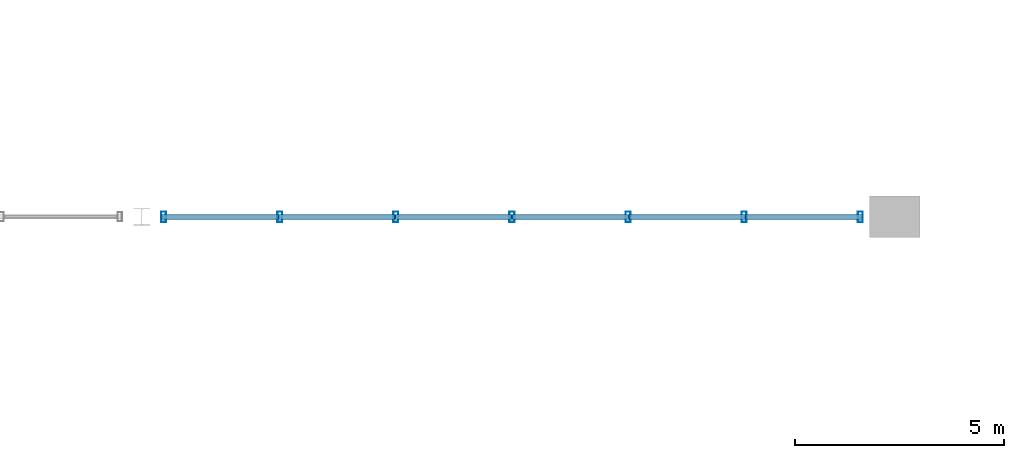
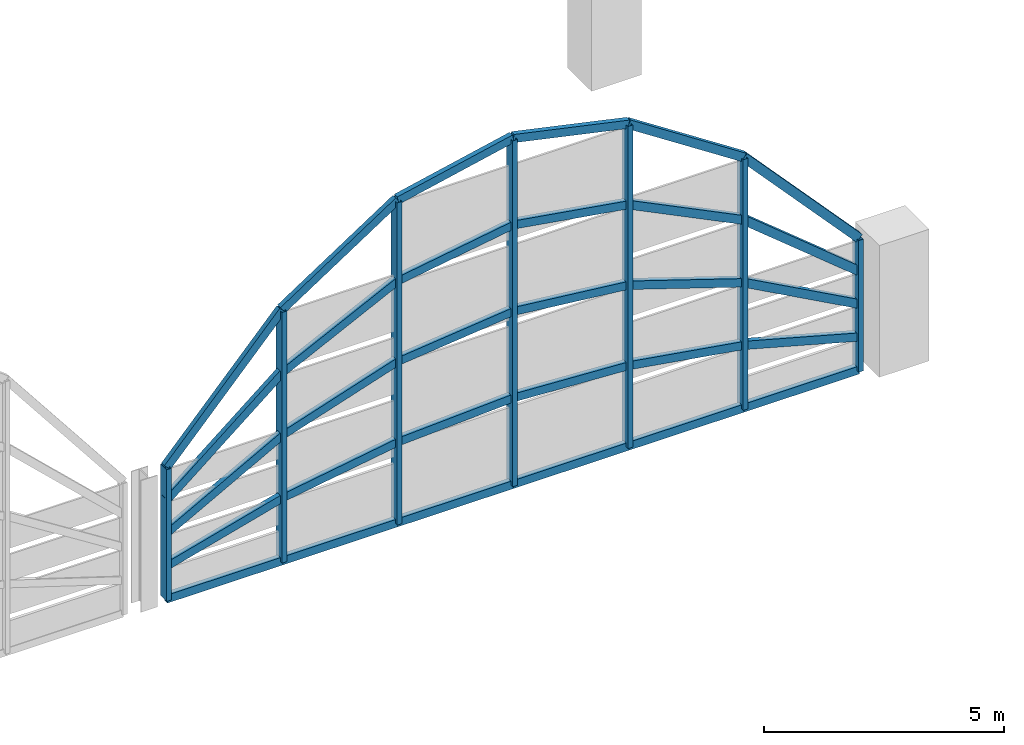
# One storey, part 34 of 116: 37 members, 1 element without a shape of its own.
"""IFC4 building model written with IfcOpenShell, lengths in metres."""

from ifc_helpers import new_model, si_unit, direction, frame, origin, origin_2d, place, context, subcontext, project, spatial, hollow_rectangle, extrude, material, material_profile, profile_set, type_object, element, aggregate, save


model = new_model("IFC4")

# Units and contexts
model_context = context("Model", 3, precision=1e-05, world=origin(), true_north=direction((0.0, 1.0)))
body_context = subcontext(model_context, "Body", "Model", "MODEL_VIEW")
ifc_project = project(units=[si_unit("LENGTHUNIT", "METRE"), si_unit("AREAUNIT", "SQUARE_METRE"), si_unit("VOLUMEUNIT", "CUBIC_METRE"), si_unit("PLANEANGLEUNIT", "RADIAN"), si_unit("MASSUNIT", "GRAM", prefix="KILO")], contexts=[model_context])

# Site, building, storey
site_placement = place(None, origin())
site = spatial("IfcSite", under=ifc_project, at=site_placement, CompositionType="ELEMENT")
building_placement = place(site_placement, origin())
building = spatial("IfcBuilding", under=site, at=building_placement, Name="Chuanluo Vaults Station", CompositionType="ELEMENT")
storey_placement = place(building_placement, frame((0.0, 0.0, 10.800048828125)))
storey = spatial("IfcBuildingStorey", under=building, at=storey_placement, Name="L02", CompositionType="ELEMENT", Elevation=10.800048828125)

# Curtain wall, members
ifc_material_1 = material(Name="Anodised aluminium 6063-T6", Category="aluminium")
curtain_wall_type = type_object("IfcCurtainWallType", Name="CW-SYS-23", PredefinedType="NOTDEFINED", material=ifc_material_1)
curtain_wall_placement = place(storey_placement, origin())
curtain_wall = element("IfcCurtainWall", 1, at=curtain_wall_placement, inside=storey, type_object=curtain_wall_type, Name="Vault V7 south arched curtain wall", PredefinedType="NOTDEFINED")
ifc_material_2 = material(Name="Anodised aluminium 6063-T6", Category="aluminium")
ifc_material_profile_1 = material_profile(ifc_material_2, hollow_rectangle(XDim=0.1201171875, YDim=0.25, WallThickness=0.006103515625, at=origin_2d()))
ifc_profile_set_1 = profile_set([ifc_material_profile_1], Name="Anodised aluminium 6063-T6")
member_type_1 = type_object("IfcMemberType", Name="CWM-160", PredefinedType="MULLION", material=ifc_profile_set_1)
member_1_placement = place(storey_placement, frame((125.175048828125, 18.0, 0.0), z_axis=(0.0, 0.0, 1.0), x_axis=(-1.0, 0.0, 0.0)))
member_1 = element("IfcMember", 2, at=member_1_placement, type_object=member_type_1, Name="Vault V7 south arched curtain wall mullion 1", PredefinedType="MULLION", context=body_context, shape_type="SweptSolid", body=[
    extrude(hollow_rectangle(XDim=0.1201171875, YDim=0.25, WallThickness=0.006103515625, at=origin_2d()), origin(), (0.0, 0.0, 1.0), 3.349853515625),
])
member_2_placement = place(storey_placement, frame((122.39990234375, 18.0, 0.0), z_axis=(0.0, 0.0, 1.0), x_axis=(-1.0, 0.0, 0.0)))
member_2 = element("IfcMember", 3, at=member_2_placement, type_object=member_type_1, Name="Vault V7 south arched curtain wall mullion 2", PredefinedType="MULLION", context=body_context, shape_type="SweptSolid", body=[
    extrude(hollow_rectangle(XDim=0.1201171875, YDim=0.25, WallThickness=0.006103515625, at=origin_2d()), origin(), (0.0, 0.0, 1.0), 6.377685546875),
])
member_3_placement = place(storey_placement, frame((119.625, 18.0, 0.0), z_axis=(0.0, 0.0, 1.0), x_axis=(-1.0, 0.0, 0.0)))
member_3 = element("IfcMember", 4, at=member_3_placement, type_object=member_type_1, Name="Vault V7 south arched curtain wall mullion 3", PredefinedType="MULLION", context=body_context, shape_type="SweptSolid", body=[
    extrude(hollow_rectangle(XDim=0.1201171875, YDim=0.25, WallThickness=0.006103515625, at=origin_2d()), origin(), (0.0, 0.0, 1.0), 8.1943359375),
])
member_4_placement = place(storey_placement, frame((116.85009765625, 18.0, 0.0), z_axis=(0.0, 0.0, 1.0), x_axis=(-1.0, 0.0, 0.0)))
member_4 = element("IfcMember", 5, at=member_4_placement, type_object=member_type_1, Name="Vault V7 south arched curtain wall mullion 4", PredefinedType="MULLION", context=body_context, shape_type="SweptSolid", body=[
    extrude(hollow_rectangle(XDim=0.1201171875, YDim=0.25, WallThickness=0.006103515625, at=origin_2d()), origin(), (0.0, 0.0, 1.0), 8.800048828125),
])
member_5_placement = place(storey_placement, frame((114.074951171875, 18.0, 0.0), z_axis=(0.0, 0.0, 1.0), x_axis=(-1.0, 0.0, 0.0)))
member_5 = element("IfcMember", 6, at=member_5_placement, type_object=member_type_1, Name="Vault V7 south arched curtain wall mullion 5", PredefinedType="MULLION", context=body_context, shape_type="SweptSolid", body=[
    extrude(hollow_rectangle(XDim=0.1201171875, YDim=0.25, WallThickness=0.006103515625, at=origin_2d()), origin(), (0.0, 0.0, 1.0), 8.1943359375),
])
member_6_placement = place(storey_placement, frame((111.300048828125, 18.0, 0.0), z_axis=(0.0, 0.0, 1.0), x_axis=(-1.0, 0.0, 0.0)))
member_6 = element("IfcMember", 7, at=member_6_placement, type_object=member_type_1, Name="Vault V7 south arched curtain wall mullion 6", PredefinedType="MULLION", context=body_context, shape_type="SweptSolid", body=[
    extrude(hollow_rectangle(XDim=0.1201171875, YDim=0.25, WallThickness=0.006103515625, at=origin_2d()), origin(), (0.0, 0.0, 1.0), 6.377685546875),
])
member_7_placement = place(storey_placement, frame((108.52490234375, 18.0, 0.0), z_axis=(0.0, 0.0, 1.0), x_axis=(-1.0, 0.0, 0.0)))
member_7 = element("IfcMember", 8, at=member_7_placement, type_object=member_type_1, Name="Vault V7 south arched curtain wall mullion 7", PredefinedType="MULLION", context=body_context, shape_type="SweptSolid", body=[
    extrude(hollow_rectangle(XDim=0.1201171875, YDim=0.25, WallThickness=0.006103515625, at=origin_2d()), origin(), (0.0, 0.0, 1.0), 3.349853515625),
])
ifc_material_3 = material(Name="Anodised aluminium 6063-T6", Category="aluminium")
ifc_material_profile_2 = material_profile(ifc_material_3, hollow_rectangle(XDim=0.1201171875, YDim=0.205078125, WallThickness=0.006103515625, at=origin_2d()))
ifc_profile_set_2 = profile_set([ifc_material_profile_2], Name="Anodised aluminium 6063-T6")
member_type_2 = type_object("IfcMemberType", Name="CWT-130", PredefinedType="USERDEFINED", material=ifc_profile_set_2)
member_8_placement = place(storey_placement, frame((125.175048828125, 18.0, 0.0), z_axis=(-1.0, 0.0, 0.0), x_axis=(0.0, -1.0, 0.0)))
member_8 = element("IfcMember", 9, at=member_8_placement, type_object=member_type_2, Name="Vault V7 south arched curtain wall transom 1.1", ObjectType="TRANSOM", PredefinedType="USERDEFINED", context=body_context, shape_type="SweptSolid", body=[
    extrude(hollow_rectangle(XDim=0.1201171875, YDim=0.205078125, WallThickness=0.006103515625, at=origin_2d()), origin(), (0.0, 0.0, 1.0), 2.775146484375),
])
member_9_placement = place(storey_placement, frame((125.175048828125, 18.0, 0.83740234375), z_axis=(-0.964744232633, 0.0, 0.263189220146), x_axis=(0.0, -1.0, 0.0)))
member_9 = element("IfcMember", 10, at=member_9_placement, type_object=member_type_2, Name="Vault V7 south arched curtain wall transom 1.2", ObjectType="TRANSOM", PredefinedType="USERDEFINED", context=body_context, shape_type="SweptSolid", body=[
    extrude(hollow_rectangle(XDim=0.1201171875, YDim=0.205078125, WallThickness=0.006103515625, at=origin_2d()), origin(), (0.0, 0.0, 1.0), 2.87646484375),
])
member_10_placement = place(storey_placement, frame((125.175048828125, 18.0, 1.675048828125), z_axis=(-0.877869008512, 0.0, 0.478900828872), x_axis=(0.0, -1.0, 0.0)))
member_10 = element("IfcMember", 11, at=member_10_placement, type_object=member_type_2, Name="Vault V7 south arched curtain wall transom 1.3", ObjectType="TRANSOM", PredefinedType="USERDEFINED", context=body_context, shape_type="SweptSolid", body=[
    extrude(hollow_rectangle(XDim=0.1201171875, YDim=0.205078125, WallThickness=0.006103515625, at=origin_2d()), origin(), (0.0, 0.0, 1.0), 3.1611328125),
])
member_11_placement = place(storey_placement, frame((125.175048828125, 18.0, 2.512451171875), z_axis=(-0.773899661364, 0.0, 0.633308229965), x_axis=(0.0, -1.0, 0.0)))
member_11 = element("IfcMember", 12, at=member_11_placement, type_object=member_type_2, Name="Vault V7 south arched curtain wall transom 1.4", ObjectType="TRANSOM", PredefinedType="USERDEFINED", context=body_context, shape_type="SweptSolid", body=[
    extrude(hollow_rectangle(XDim=0.1201171875, YDim=0.205078125, WallThickness=0.006103515625, at=origin_2d()), origin(), (0.0, 0.0, 1.0), 3.5859375),
])
member_12_placement = place(storey_placement, frame((125.175048828125, 18.0, 3.349853515625), z_axis=(-0.675676176294, 0.0, 0.737198551808), x_axis=(0.0, -1.0, 0.0)))
member_12 = element("IfcMember", 13, at=member_12_placement, type_object=member_type_2, Name="Vault V7 south arched curtain wall transom 1.5", ObjectType="TRANSOM", PredefinedType="USERDEFINED", context=body_context, shape_type="SweptSolid", body=[
    extrude(hollow_rectangle(XDim=0.1201171875, YDim=0.205078125, WallThickness=0.006103515625, at=origin_2d()), origin(), (0.0, 0.0, 1.0), 4.107177734375),
])
member_13_placement = place(storey_placement, frame((122.39990234375, 18.0, 0.0), z_axis=(-1.0, 0.0, 0.0), x_axis=(0.0, -1.0, 0.0)))
member_13 = element("IfcMember", 14, at=member_13_placement, type_object=member_type_2, Name="Vault V7 south arched curtain wall transom 2.1", ObjectType="TRANSOM", PredefinedType="USERDEFINED", context=body_context, shape_type="SweptSolid", body=[
    extrude(hollow_rectangle(XDim=0.1201171875, YDim=0.205078125, WallThickness=0.006103515625, at=origin_2d()), origin(), (0.0, 0.0, 1.0), 2.77490234375),
])
member_14_placement = place(storey_placement, frame((122.39990234375, 18.0, 1.594482421875), z_axis=(-0.98687307331, 0.0, 0.161497793098), x_axis=(0.0, -1.0, 0.0)))
member_14 = element("IfcMember", 15, at=member_14_placement, type_object=member_type_2, Name="Vault V7 south arched curtain wall transom 2.2", ObjectType="TRANSOM", PredefinedType="USERDEFINED", context=body_context, shape_type="SweptSolid", body=[
    extrude(hollow_rectangle(XDim=0.1201171875, YDim=0.205078125, WallThickness=0.006103515625, at=origin_2d()), origin(), (0.0, 0.0, 1.0), 2.811767578125),
])
member_15_placement = place(storey_placement, frame((122.39990234375, 18.0, 3.18896484375), z_axis=(-0.950391735862, 0.0, 0.3110555391), x_axis=(0.0, -1.0, 0.0)))
member_15 = element("IfcMember", 16, at=member_15_placement, type_object=member_type_2, Name="Vault V7 south arched curtain wall transom 2.3", ObjectType="TRANSOM", PredefinedType="USERDEFINED", context=body_context, shape_type="SweptSolid", body=[
    extrude(hollow_rectangle(XDim=0.1201171875, YDim=0.205078125, WallThickness=0.006103515625, at=origin_2d()), origin(), (0.0, 0.0, 1.0), 2.919677734375),
])
member_16_placement = place(storey_placement, frame((122.39990234375, 18.0, 4.783447265625), z_axis=(-0.897657385752, 0.0, 0.440694018344), x_axis=(0.0, -1.0, 0.0)))
member_16 = element("IfcMember", 17, at=member_16_placement, type_object=member_type_2, Name="Vault V7 south arched curtain wall transom 2.4", ObjectType="TRANSOM", PredefinedType="USERDEFINED", context=body_context, shape_type="SweptSolid", body=[
    extrude(hollow_rectangle(XDim=0.1201171875, YDim=0.205078125, WallThickness=0.006103515625, at=origin_2d()), origin(), (0.0, 0.0, 1.0), 3.09130859375),
])
member_17_placement = place(storey_placement, frame((122.39990234375, 18.0, 6.377685546875), z_axis=(-0.836653064814, 0.0, 0.547733191561), x_axis=(0.0, -1.0, 0.0)))
member_17 = element("IfcMember", 18, at=member_17_placement, type_object=member_type_2, Name="Vault V7 south arched curtain wall transom 2.5", ObjectType="TRANSOM", PredefinedType="USERDEFINED", context=body_context, shape_type="SweptSolid", body=[
    extrude(hollow_rectangle(XDim=0.1201171875, YDim=0.205078125, WallThickness=0.006103515625, at=origin_2d()), origin(), (0.0, 0.0, 1.0), 3.316650390625),
])
member_18_placement = place(storey_placement, frame((119.625, 18.0, 0.0), z_axis=(-1.0, 0.0, 0.0), x_axis=(0.0, -1.0, 0.0)))
member_18 = element("IfcMember", 19, at=member_18_placement, type_object=member_type_2, Name="Vault V7 south arched curtain wall transom 3.1", ObjectType="TRANSOM", PredefinedType="USERDEFINED", context=body_context, shape_type="SweptSolid", body=[
    extrude(hollow_rectangle(XDim=0.1201171875, YDim=0.205078125, WallThickness=0.006103515625, at=origin_2d()), origin(), (0.0, 0.0, 1.0), 2.77490234375),
])
member_19_placement = place(storey_placement, frame((119.625, 18.0, 2.048583984375), z_axis=(-0.998515534193, 0.0, 0.054467678268), x_axis=(0.0, -1.0, 0.0)))
member_19 = element("IfcMember", 20, at=member_19_placement, type_object=member_type_2, Name="Vault V7 south arched curtain wall transom 3.2", ObjectType="TRANSOM", PredefinedType="USERDEFINED", context=body_context, shape_type="SweptSolid", body=[
    extrude(hollow_rectangle(XDim=0.1201171875, YDim=0.205078125, WallThickness=0.006103515625, at=origin_2d()), origin(), (0.0, 0.0, 1.0), 2.779052734375),
])
member_20_placement = place(storey_placement, frame((119.625, 18.0, 4.09716796875), z_axis=(-0.99410149083, 0.0, 0.10845379629), x_axis=(0.0, -1.0, 0.0)))
member_20 = element("IfcMember", 21, at=member_20_placement, type_object=member_type_2, Name="Vault V7 south arched curtain wall transom 3.3", ObjectType="TRANSOM", PredefinedType="USERDEFINED", context=body_context, shape_type="SweptSolid", body=[
    extrude(hollow_rectangle(XDim=0.1201171875, YDim=0.205078125, WallThickness=0.006103515625, at=origin_2d()), origin(), (0.0, 0.0, 1.0), 2.791259765625),
])
member_21_placement = place(storey_placement, frame((119.625, 18.0, 6.145751953125), z_axis=(-0.98687307331, 0.0, 0.161497793098), x_axis=(0.0, -1.0, 0.0)))
member_21 = element("IfcMember", 22, at=member_21_placement, type_object=member_type_2, Name="Vault V7 south arched curtain wall transom 3.4", ObjectType="TRANSOM", PredefinedType="USERDEFINED", context=body_context, shape_type="SweptSolid", body=[
    extrude(hollow_rectangle(XDim=0.1201171875, YDim=0.205078125, WallThickness=0.006103515625, at=origin_2d()), origin(), (0.0, 0.0, 1.0), 2.811767578125),
])
member_22_placement = place(storey_placement, frame((119.625, 18.0, 8.1943359375), z_axis=(-0.976995250729, 0.0, 0.2132610608), x_axis=(0.0, -1.0, 0.0)))
member_22 = element("IfcMember", 23, at=member_22_placement, type_object=member_type_2, Name="Vault V7 south arched curtain wall transom 3.5", ObjectType="TRANSOM", PredefinedType="USERDEFINED", context=body_context, shape_type="SweptSolid", body=[
    extrude(hollow_rectangle(XDim=0.1201171875, YDim=0.205078125, WallThickness=0.006103515625, at=origin_2d()), origin(), (0.0, 0.0, 1.0), 2.84033203125),
])
member_23_placement = place(storey_placement, frame((116.85009765625, 18.0, 0.0), z_axis=(-1.0, 0.0, 0.0), x_axis=(0.0, -1.0, 0.0)))
member_23 = element("IfcMember", 24, at=member_23_placement, type_object=member_type_2, Name="Vault V7 south arched curtain wall transom 4.1", ObjectType="TRANSOM", PredefinedType="USERDEFINED", context=body_context, shape_type="SweptSolid", body=[
    extrude(hollow_rectangle(XDim=0.1201171875, YDim=0.205078125, WallThickness=0.006103515625, at=origin_2d()), origin(), (0.0, 0.0, 1.0), 2.775146484375),
])
member_24_placement = place(storey_placement, frame((116.85009765625, 18.0, 2.199951171875), z_axis=(-0.998515794789, 0.0, -0.054462900745), x_axis=(0.0, -1.0, 0.0)))
member_24 = element("IfcMember", 25, at=member_24_placement, type_object=member_type_2, Name="Vault V7 south arched curtain wall transom 4.2", ObjectType="TRANSOM", PredefinedType="USERDEFINED", context=body_context, shape_type="SweptSolid", body=[
    extrude(hollow_rectangle(XDim=0.1201171875, YDim=0.205078125, WallThickness=0.006103515625, at=origin_2d()), origin(), (0.0, 0.0, 1.0), 2.779296875),
])
member_25_placement = place(storey_placement, frame((116.85009765625, 18.0, 4.39990234375), z_axis=(-0.994102519452, 0.0, -0.10844436739), x_axis=(0.0, -1.0, 0.0)))
member_25 = element("IfcMember", 26, at=member_25_placement, type_object=member_type_2, Name="Vault V7 south arched curtain wall transom 4.3", ObjectType="TRANSOM", PredefinedType="USERDEFINED", context=body_context, shape_type="SweptSolid", body=[
    extrude(hollow_rectangle(XDim=0.1201171875, YDim=0.205078125, WallThickness=0.006103515625, at=origin_2d()), origin(), (0.0, 0.0, 1.0), 2.79150390625),
])
member_26_placement = place(storey_placement, frame((116.85009765625, 18.0, 6.599853515625), z_axis=(-0.986875337595, 0.0, -0.161483956007), x_axis=(0.0, -1.0, 0.0)))
member_26 = element("IfcMember", 27, at=member_26_placement, type_object=member_type_2, Name="Vault V7 south arched curtain wall transom 4.4", ObjectType="TRANSOM", PredefinedType="USERDEFINED", context=body_context, shape_type="SweptSolid", body=[
    extrude(hollow_rectangle(XDim=0.1201171875, YDim=0.205078125, WallThickness=0.006103515625, at=origin_2d()), origin(), (0.0, 0.0, 1.0), 2.81201171875),
])
member_27_placement = place(storey_placement, frame((116.85009765625, 18.0, 8.800048828125), z_axis=(-0.976999159617, 0.0, -0.213243152548), x_axis=(0.0, -1.0, 0.0)))
member_27 = element("IfcMember", 28, at=member_27_placement, type_object=member_type_2, Name="Vault V7 south arched curtain wall transom 4.5", ObjectType="TRANSOM", PredefinedType="USERDEFINED", context=body_context, shape_type="SweptSolid", body=[
    extrude(hollow_rectangle(XDim=0.1201171875, YDim=0.205078125, WallThickness=0.006103515625, at=origin_2d()), origin(), (0.0, 0.0, 1.0), 2.840576171875),
])
member_28_placement = place(storey_placement, frame((114.074951171875, 18.0, 0.0), z_axis=(-1.0, 0.0, 0.0), x_axis=(0.0, -1.0, 0.0)))
member_28 = element("IfcMember", 29, at=member_28_placement, type_object=member_type_2, Name="Vault V7 south arched curtain wall transom 5.1", ObjectType="TRANSOM", PredefinedType="USERDEFINED", context=body_context, shape_type="SweptSolid", body=[
    extrude(hollow_rectangle(XDim=0.1201171875, YDim=0.205078125, WallThickness=0.006103515625, at=origin_2d()), origin(), (0.0, 0.0, 1.0), 2.77490234375),
])
member_29_placement = place(storey_placement, frame((114.074951171875, 18.0, 2.048583984375), z_axis=(-0.98687307331, 0.0, -0.161497793098), x_axis=(0.0, -1.0, 0.0)))
member_29 = element("IfcMember", 30, at=member_29_placement, type_object=member_type_2, Name="Vault V7 south arched curtain wall transom 5.2", ObjectType="TRANSOM", PredefinedType="USERDEFINED", context=body_context, shape_type="SweptSolid", body=[
    extrude(hollow_rectangle(XDim=0.1201171875, YDim=0.205078125, WallThickness=0.006103515625, at=origin_2d()), origin(), (0.0, 0.0, 1.0), 2.811767578125),
])
member_30_placement = place(storey_placement, frame((114.074951171875, 18.0, 4.09716796875), z_axis=(-0.950391735862, 0.0, -0.3110555391), x_axis=(0.0, -1.0, 0.0)))
member_30 = element("IfcMember", 31, at=member_30_placement, type_object=member_type_2, Name="Vault V7 south arched curtain wall transom 5.3", ObjectType="TRANSOM", PredefinedType="USERDEFINED", context=body_context, shape_type="SweptSolid", body=[
    extrude(hollow_rectangle(XDim=0.1201171875, YDim=0.205078125, WallThickness=0.006103515625, at=origin_2d()), origin(), (0.0, 0.0, 1.0), 2.919677734375),
])
member_31_placement = place(storey_placement, frame((114.074951171875, 18.0, 6.145751953125), z_axis=(-0.897657385752, 0.0, -0.440694018344), x_axis=(0.0, -1.0, 0.0)))
member_31 = element("IfcMember", 32, at=member_31_placement, type_object=member_type_2, Name="Vault V7 south arched curtain wall transom 5.4", ObjectType="TRANSOM", PredefinedType="USERDEFINED", context=body_context, shape_type="SweptSolid", body=[
    extrude(hollow_rectangle(XDim=0.1201171875, YDim=0.205078125, WallThickness=0.006103515625, at=origin_2d()), origin(), (0.0, 0.0, 1.0), 3.09130859375),
])
member_32_placement = place(storey_placement, frame((114.074951171875, 18.0, 8.1943359375), z_axis=(-0.836653064814, 0.0, -0.547733191561), x_axis=(0.0, -1.0, 0.0)))
member_32 = element("IfcMember", 33, at=member_32_placement, type_object=member_type_2, Name="Vault V7 south arched curtain wall transom 5.5", ObjectType="TRANSOM", PredefinedType="USERDEFINED", context=body_context, shape_type="SweptSolid", body=[
    extrude(hollow_rectangle(XDim=0.1201171875, YDim=0.205078125, WallThickness=0.006103515625, at=origin_2d()), origin(), (0.0, 0.0, 1.0), 3.316650390625),
])
member_33_placement = place(storey_placement, frame((111.300048828125, 18.0, 0.0), z_axis=(-1.0, 0.0, 0.0), x_axis=(0.0, -1.0, 0.0)))
member_33 = element("IfcMember", 34, at=member_33_placement, type_object=member_type_2, Name="Vault V7 south arched curtain wall transom 6.1", ObjectType="TRANSOM", PredefinedType="USERDEFINED", context=body_context, shape_type="SweptSolid", body=[
    extrude(hollow_rectangle(XDim=0.1201171875, YDim=0.205078125, WallThickness=0.006103515625, at=origin_2d()), origin(), (0.0, 0.0, 1.0), 2.775146484375),
])
member_34_placement = place(storey_placement, frame((111.300048828125, 18.0, 1.594482421875), z_axis=(-0.964744232633, 0.0, -0.263189220146), x_axis=(0.0, -1.0, 0.0)))
member_34 = element("IfcMember", 35, at=member_34_placement, type_object=member_type_2, Name="Vault V7 south arched curtain wall transom 6.2", ObjectType="TRANSOM", PredefinedType="USERDEFINED", context=body_context, shape_type="SweptSolid", body=[
    extrude(hollow_rectangle(XDim=0.1201171875, YDim=0.205078125, WallThickness=0.006103515625, at=origin_2d()), origin(), (0.0, 0.0, 1.0), 2.87646484375),
])
member_35_placement = place(storey_placement, frame((111.300048828125, 18.0, 3.18896484375), z_axis=(-0.877869008512, 0.0, -0.478900828872), x_axis=(0.0, -1.0, 0.0)))
member_35 = element("IfcMember", 36, at=member_35_placement, type_object=member_type_2, Name="Vault V7 south arched curtain wall transom 6.3", ObjectType="TRANSOM", PredefinedType="USERDEFINED", context=body_context, shape_type="SweptSolid", body=[
    extrude(hollow_rectangle(XDim=0.1201171875, YDim=0.205078125, WallThickness=0.006103515625, at=origin_2d()), origin(), (0.0, 0.0, 1.0), 3.1611328125),
])
member_36_placement = place(storey_placement, frame((111.300048828125, 18.0, 4.783447265625), z_axis=(-0.773899661364, 0.0, -0.633308229965), x_axis=(0.0, -1.0, 0.0)))
member_36 = element("IfcMember", 37, at=member_36_placement, type_object=member_type_2, Name="Vault V7 south arched curtain wall transom 6.4", ObjectType="TRANSOM", PredefinedType="USERDEFINED", context=body_context, shape_type="SweptSolid", body=[
    extrude(hollow_rectangle(XDim=0.1201171875, YDim=0.205078125, WallThickness=0.006103515625, at=origin_2d()), origin(), (0.0, 0.0, 1.0), 3.5859375),
])
member_37_placement = place(storey_placement, frame((111.300048828125, 18.0, 6.377685546875), z_axis=(-0.675676176294, 0.0, -0.737198551808), x_axis=(0.0, -1.0, 0.0)))
member_37 = element("IfcMember", 38, at=member_37_placement, type_object=member_type_2, Name="Vault V7 south arched curtain wall transom 6.5", ObjectType="TRANSOM", PredefinedType="USERDEFINED", context=body_context, shape_type="SweptSolid", body=[
    extrude(hollow_rectangle(XDim=0.1201171875, YDim=0.205078125, WallThickness=0.006103515625, at=origin_2d()), origin(), (0.0, 0.0, 1.0), 4.107177734375),
])
aggregate(curtain_wall, [member_1, member_2, member_3, member_4, member_5, member_6, member_7, member_8, member_9, member_10, member_11, member_12, member_13, member_14, member_15, member_16, member_17, member_18, member_19, member_20, member_21, member_22, member_23, member_24, member_25, member_26, member_27, member_28, member_29, member_30, member_31, member_32, member_33, member_34, member_35, member_36, member_37])

save(model, "model.ifc")
